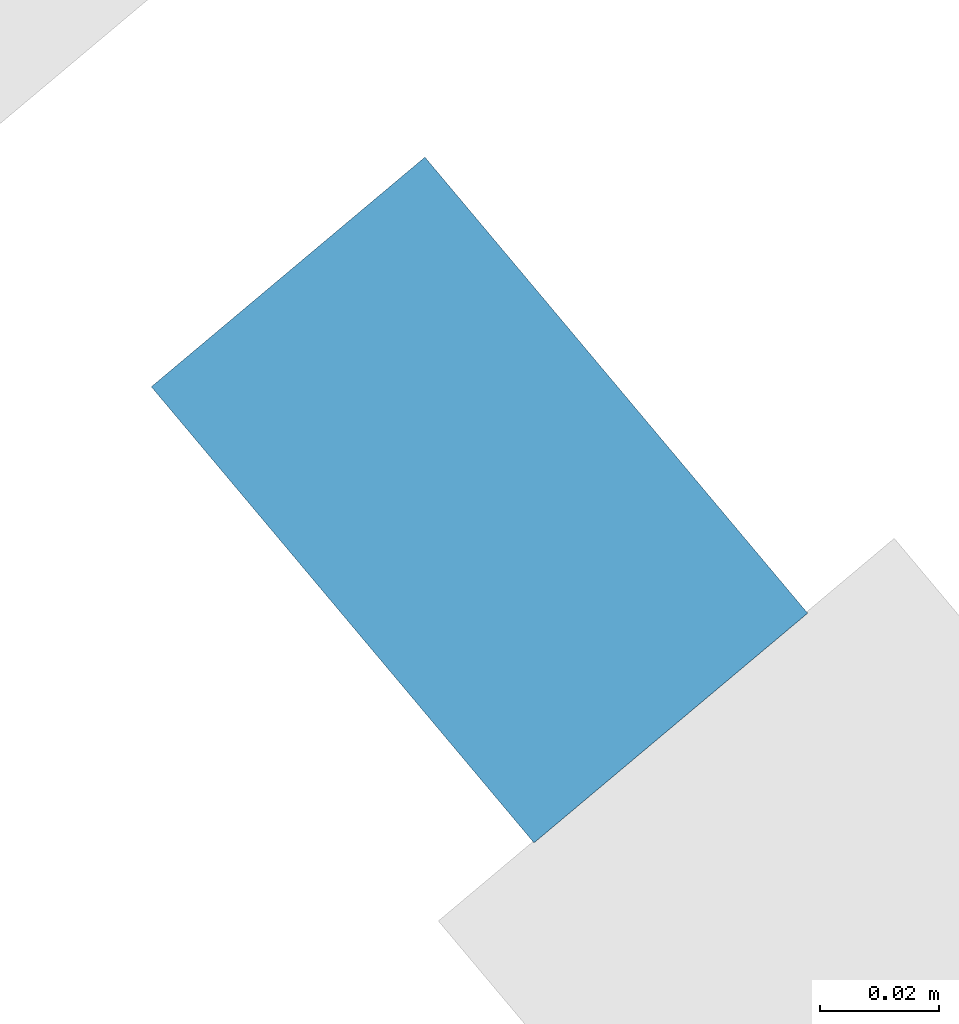
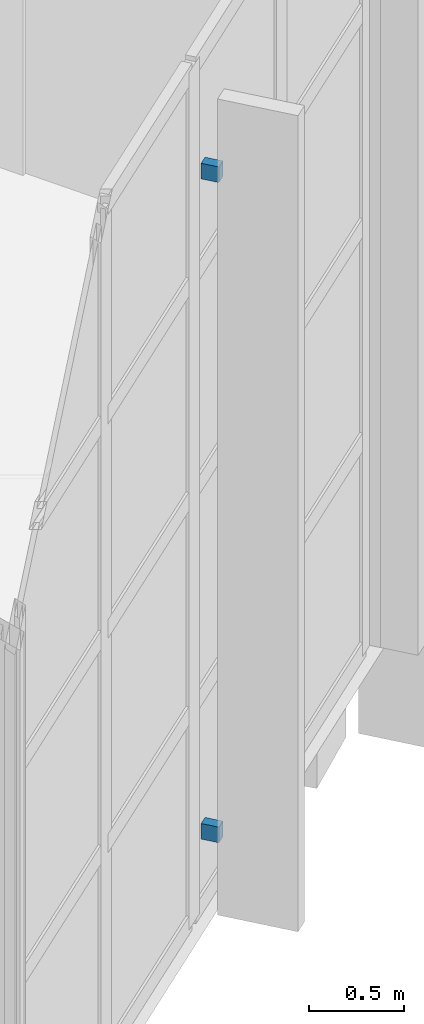
# One storey, part 80 of 94: 2 discrete accessories.
"""IFC4 building model written with IfcOpenShell, lengths in metres."""

import ifcopenshell
import ifcopenshell.guid

model = None  # the IFC model being written
_history = None  # IfcOwnerHistory: only IFC2X3 demands one
_inside = {}  # id of a spatial element -> (the spatial element, [elements in it])
_under = {}  # id of a project, library or spatial element -> (it, [spatial elements below it])
_declared = {}  # id of a project -> (the project, [libraries it declares])
_typed = {}  # id of a type object -> (the type object, [elements of that type])
_made_of = {}  # id of a material, layer set ... -> (it, [elements and type objects made of it])


def new_model(schema):
    """Start an empty IFC model of exactly this schema.

    Asked for "IFC4X3", IfcOpenShell would pick the latest addendum, in which some entities
    have other attributes; the version numbers below select the first issue.
    IFC2X3 requires an IfcOwnerHistory on every rooted entity: one is made here for all.
    """
    global model, _history
    if schema == "IFC4X3":
        model = ifcopenshell.file(schema_version=(4, 3, 0, 0))
    else:
        model = ifcopenshell.file(schema=schema)
    _inside.clear()
    _under.clear()
    _declared.clear()
    _typed.clear()
    _made_of.clear()
    _history = None
    if model.schema == "IFC2X3":
        org = make("IfcOrganization", Name="unknown")
        user = make(
            "IfcPersonAndOrganization",
            ThePerson=make("IfcPerson", FamilyName="unknown"),
            TheOrganization=org,
        )
        app = make(
            "IfcApplication",
            ApplicationDeveloper=org,
            Version="unknown",
            ApplicationFullName="unknown",
            ApplicationIdentifier="unknown",
        )
        _history = make(
            "IfcOwnerHistory",
            OwningUser=user,
            OwningApplication=app,
            ChangeAction="ADDED",
            CreationDate=0,
        )
    return model


def make(cls, **values):
    """One entity of the class cls with the attributes given. An attribute that is None is left unset."""
    return model.create_entity(
        cls, **{name: value for name, value in values.items() if value is not None}
    )


def rooted(cls, **values):
    """An entity with a GlobalId (a new one), such as an element, a storey or a relation."""
    return make(cls, GlobalId=ifcopenshell.guid.new(), OwnerHistory=_history, **values)


def si_unit(unit_type, name, prefix=None):
    """IfcSIUnit, for example si_unit("LENGTHUNIT", "METRE", prefix="MILLI")."""
    return make("IfcSIUnit", UnitType=unit_type, Prefix=prefix, Name=name)


def assignment(units):
    """IfcUnitAssignment: the units of a project."""
    return None if units is None else make("IfcUnitAssignment", Units=units)


def point(xyz):
    """IfcCartesianPoint."""
    return None if xyz is None else make("IfcCartesianPoint", Coordinates=xyz)


def direction(xyz):
    """IfcDirection."""
    return None if xyz is None else make("IfcDirection", DirectionRatios=xyz)


def frame(location, z_axis=None, x_axis=None):
    """IfcAxis2Placement3D, a coordinate frame: its origin and axes. An axis left out is left unset."""
    return make(
        "IfcAxis2Placement3D",
        Location=point(location),
        Axis=direction(z_axis),
        RefDirection=direction(x_axis),
    )


def frame_2d(location, x_axis=None):
    """IfcAxis2Placement2D, a coordinate frame in the plane: its origin and x axis."""
    return make(
        "IfcAxis2Placement2D", Location=point(location), RefDirection=direction(x_axis)
    )


def origin():
    """The frame at (0, 0, 0) with its axes left unset."""
    return frame((0.0, 0.0, 0.0))


def origin_2d():
    """The frame at (0, 0) in the plane with its x axis left unset."""
    return frame_2d((0.0, 0.0))


def place(relative_to, where):
    """IfcLocalPlacement: puts the frame where relative to a parent placement (None: the world)."""
    return make(
        "IfcLocalPlacement", PlacementRelTo=relative_to, RelativePlacement=where
    )


def context(
    kind, dimensions, precision=None, world=None, true_north=None, identifier=None
):
    """IfcGeometricRepresentationContext, for example the 3D "Model" context."""
    return make(
        "IfcGeometricRepresentationContext",
        ContextIdentifier=identifier,
        ContextType=kind,
        CoordinateSpaceDimension=dimensions,
        Precision=precision,
        WorldCoordinateSystem=world,
        TrueNorth=true_north,
    )


def subcontext(parent, identifier, kind, view, scale=None):
    """IfcGeometricRepresentationSubContext, for example "Body" below "Model"."""
    return make(
        "IfcGeometricRepresentationSubContext",
        ContextIdentifier=identifier,
        ContextType=kind,
        ParentContext=parent,
        TargetScale=scale,
        TargetView=view,
    )


def project(units=None, contexts=None):
    """IfcProject with its units and contexts."""
    return rooted(
        "IfcProject",
        Name="project",
        RepresentationContexts=contexts,
        UnitsInContext=assignment(units),
    )


def spatial(cls, under=None, at=None, **own):
    """A site, building, storey or space (cls), placed at a placement, below another one or the project."""
    s = rooted(cls, ObjectPlacement=at, **own)
    if under is not None:
        _under.setdefault(under.id(), (under, []))[1].append(s)
    return s


def profile(cls, at=None, kind="AREA", **sizes):
    """A parametric profile (cls). Its sizes go by their IFC names, for example OverallWidth=200.0."""
    return make(cls, ProfileType=kind, Position=at, **sizes)


def rectangle(**sizes):
    """IfcRectangleProfileDef."""
    return profile("IfcRectangleProfileDef", **sizes)


def extrude(swept, where, along, depth):
    """IfcExtrudedAreaSolid: the profile swept, set in the frame where, extruded along a direction by depth."""
    return make(
        "IfcExtrudedAreaSolid",
        SweptArea=swept,
        Position=where,
        ExtrudedDirection=direction(along),
        Depth=depth,
    )


def shape(context_of_items, identifier, shape_type, items):
    """IfcShapeRepresentation: the items that make up one representation, for example the "Body"."""
    return make(
        "IfcShapeRepresentation",
        ContextOfItems=context_of_items,
        RepresentationIdentifier=identifier,
        RepresentationType=shape_type,
        Items=items,
    )


def material(Name=None, Category=None):
    """IfcMaterial."""
    return make("IfcMaterial", Name=Name, Category=Category)


def made_of(thing, what):
    """Note that an element or type object is made of a material, layer set ...; save() writes the relation."""
    if what is not None:
        _made_of.setdefault(what.id(), (what, []))[1].append(thing)
    return thing


def type_object(cls, material=None, **own):
    """A type object (cls), such as IfcWallType, which elements share."""
    return made_of(rooted(cls, **own), material)


def element(
    cls,
    number,
    at=None,
    inside=None,
    cuts=None,
    type_object=None,
    material=None,
    context=None,
    identifier="Body",
    shape_type=None,
    held_by="IfcProductDefinitionShape",
    body=None,
    shapes=None,
    **own,
):
    """One element of the class cls, such as IfcWall. Its Tag is "e" and its number.

    at: its placement. inside: the storey or other place that contains it. cuts: it is an
    opening in that element (IfcRelVoidsElement). A single representation is given by context,
    identifier, shape_type and body (its items); several are given by shapes. held_by: the class
    of the entity that holds the representations. save() writes the other relations.
    """
    e = rooted(cls, Tag="e%d" % number, ObjectPlacement=at, **own)
    if body is not None:
        shapes = [shape(context, identifier, shape_type, body)]
    if shapes is not None:
        e.Representation = make(held_by, Representations=shapes)
    if inside is not None:
        _inside.setdefault(inside.id(), (inside, []))[1].append(e)
    if cuts is not None:
        rooted(
            "IfcRelVoidsElement", RelatingBuildingElement=cuts, RelatedOpeningElement=e
        )
    if type_object is not None:
        _typed.setdefault(type_object.id(), (type_object, []))[1].append(e)
    return made_of(e, material)


def aggregate(whole, parts):
    """IfcRelAggregates: a whole, such as a stair, and the parts it consists of."""
    return rooted("IfcRelAggregates", RelatingObject=whole, RelatedObjects=parts)


def save(model, path):
    """Write the relations noted so far, then the file.

    IfcRelAggregates (storeys below a building ...), IfcRelContainedInSpatialStructure (elements
    in a storey), IfcRelDefinesByType, IfcRelAssociatesMaterial and IfcRelDeclares: one each for
    every whole, place, type object, material and project.
    """
    for whole, parts in _under.values():
        aggregate(whole, parts)
    for where, things in _inside.values():
        rooted(
            "IfcRelContainedInSpatialStructure",
            RelatedElements=things,
            RelatingStructure=where,
        )
    for kind, things in _typed.values():
        rooted("IfcRelDefinesByType", RelatedObjects=things, RelatingType=kind)
    for what, things in _made_of.values():
        rooted("IfcRelAssociatesMaterial", RelatedObjects=things, RelatingMaterial=what)
    for by, libraries in _declared.values():
        rooted("IfcRelDeclares", RelatingContext=by, RelatedDefinitions=libraries)
    model.write(path)


model = new_model("IFC4")

# Units and contexts
model_context = context("Model", 3, precision=1e-05, world=origin(), true_north=direction((0.0, 1.0)))
body_context = subcontext(model_context, "Body", "Model", "MODEL_VIEW")
ifc_project = project(units=[si_unit("LENGTHUNIT", "METRE"), si_unit("AREAUNIT", "SQUARE_METRE"), si_unit("VOLUMEUNIT", "CUBIC_METRE"), si_unit("PLANEANGLEUNIT", "RADIAN"), si_unit("MASSUNIT", "GRAM", prefix="KILO")], contexts=[model_context])

# Site, building, storey
site_placement = place(None, origin())
site = spatial("IfcSite", under=ifc_project, at=site_placement, CompositionType="ELEMENT")
building_placement = place(site_placement, origin())
building = spatial("IfcBuilding", under=site, at=building_placement, Name="Lunette Opera House", CompositionType="ELEMENT")
storey_placement = place(building_placement, frame((0.0, 0.0, 22.5)))
storey = spatial("IfcBuildingStorey", under=building, at=storey_placement, Name="L04", CompositionType="ELEMENT", Elevation=22.5)

# Discrete accessories
ifc_material = material(Name="Galvanised steel", Category="steel")
discrete_accessory_type = type_object("IfcDiscreteAccessoryType", Name="FIN BRACKET STEEL", PredefinedType="BRACKET", material=ifc_material)
for number, where, z_axis, x_axis, name in (
    (1, (138.216064453125, 35.25390625, 0.56494140625), (0.0, 0.0, 1.0), (0.642839751189, -0.76600068818, 0.0), "Fin bracket FC-X2180 2 1"),
    (2, (138.216064453125, 35.25390625, 4.800048828125), (0.0, 0.0, 1.0), (0.642839751189, -0.76600068818, 0.0), "Fin bracket FC-X2180 2 2"),
):
    element("IfcDiscreteAccessory", number, at=place(storey_placement, frame(where, z_axis=z_axis, x_axis=x_axis)), inside=storey, type_object=discrete_accessory_type, Name=name, PredefinedType="BRACKET", context=body_context, shape_type="SweptSolid", body=[
        extrude(rectangle(XDim=0.10009765625, YDim=0.06005859375, at=origin_2d()), origin(), (0.0, 0.0, 1.0), 0.10009765625),
    ])

save(model, "model.ifc")
